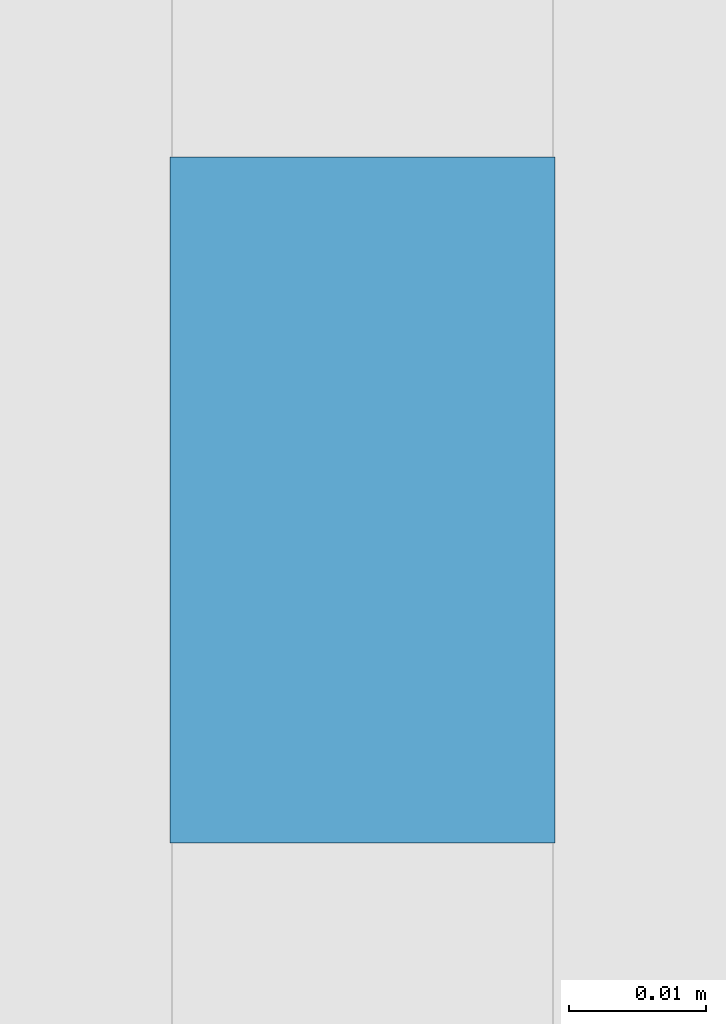
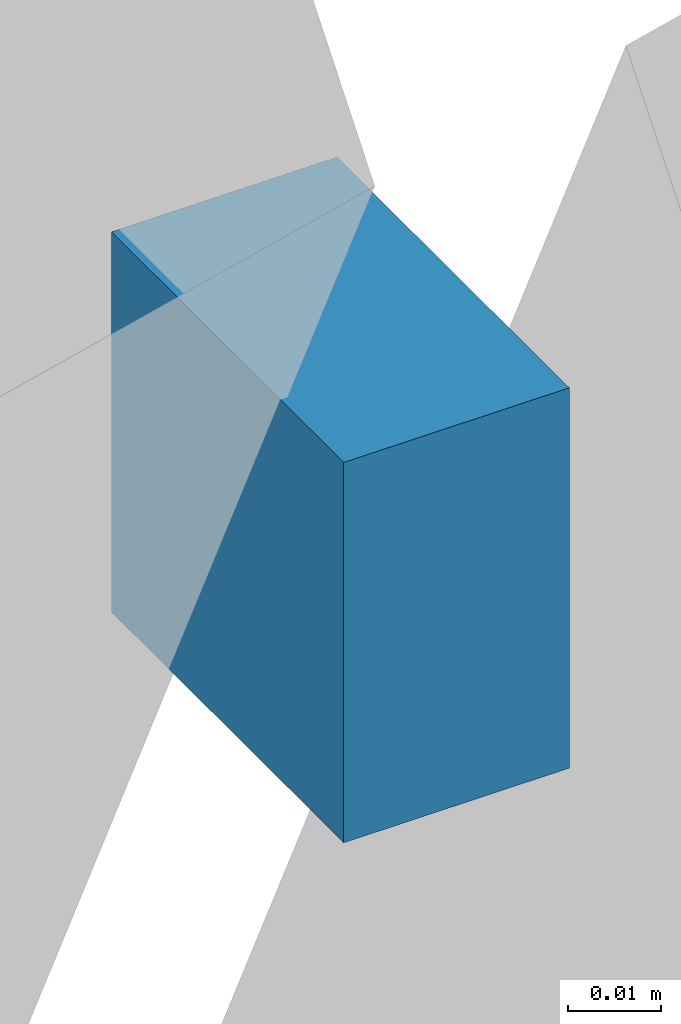
# One storey, part 19 of 24: 1 discrete accessory, 1 element without a shape of its own.
"""IFC4 building model written with IfcOpenShell, lengths in metres."""

from ifc_helpers import new_model, si_unit, direction, frame, origin, origin_2d, place, context, subcontext, project, spatial, rectangle, extrude, material, type_object, element, aggregate, save


model = new_model("IFC4")

# Units and contexts
model_context = context("Model", 3, precision=1e-05, world=origin(), true_north=direction((0.0, 1.0)))
body_context = subcontext(model_context, "Body", "Model", "MODEL_VIEW")
ifc_project = project(units=[si_unit("LENGTHUNIT", "METRE"), si_unit("AREAUNIT", "SQUARE_METRE"), si_unit("VOLUMEUNIT", "CUBIC_METRE"), si_unit("PLANEANGLEUNIT", "RADIAN"), si_unit("MASSUNIT", "GRAM", prefix="KILO")], contexts=[model_context])

# Site, building, storey
site_placement = place(None, origin())
site = spatial("IfcSite", under=ifc_project, at=site_placement, CompositionType="ELEMENT")
building_placement = place(site_placement, origin())
building = spatial("IfcBuilding", under=site, at=building_placement, Name="Tessera Arch", CompositionType="ELEMENT")
storey_placement = place(building_placement, frame((0.0, 0.0, 112.0)))
storey = spatial("IfcBuildingStorey", under=building, at=storey_placement, Name="L26", CompositionType="ELEMENT", Elevation=112.0)

# Curtain wall, discrete accessory
ifc_material = material(Name="CW3 curtain wall")
curtain_wall_type = type_object("IfcCurtainWallType", Name="CW3 curtain wall", PredefinedType="NOTDEFINED", material=ifc_material)
curtain_wall_placement = place(storey_placement, origin())
curtain_wall = element("IfcCurtainWall", 1, at=curtain_wall_placement, inside=storey, type_object=curtain_wall_type, Name="CW3 curtain wall E54.0/2 L26", PredefinedType="NOTDEFINED")
discrete_accessory_placement = place(storey_placement, frame((54.0439453125, 22.99609375, 1.00830078125), z_axis=(0.0, 0.0, 1.0), x_axis=(0.0, 1.0, 0.0)))
discrete_accessory = element("IfcDiscreteAccessory", 2, at=discrete_accessory_placement, Name="Glazing bracket", PredefinedType="BRACKET", context=body_context, shape_type="SweptSolid", body=[
    extrude(rectangle(XDim=0.050048828125, YDim=0.028076171875, at=origin_2d()), origin(), (0.0, 0.0, 1.0), 0.050048828125),
])
aggregate(curtain_wall, [discrete_accessory])

save(model, "model.ifc")
